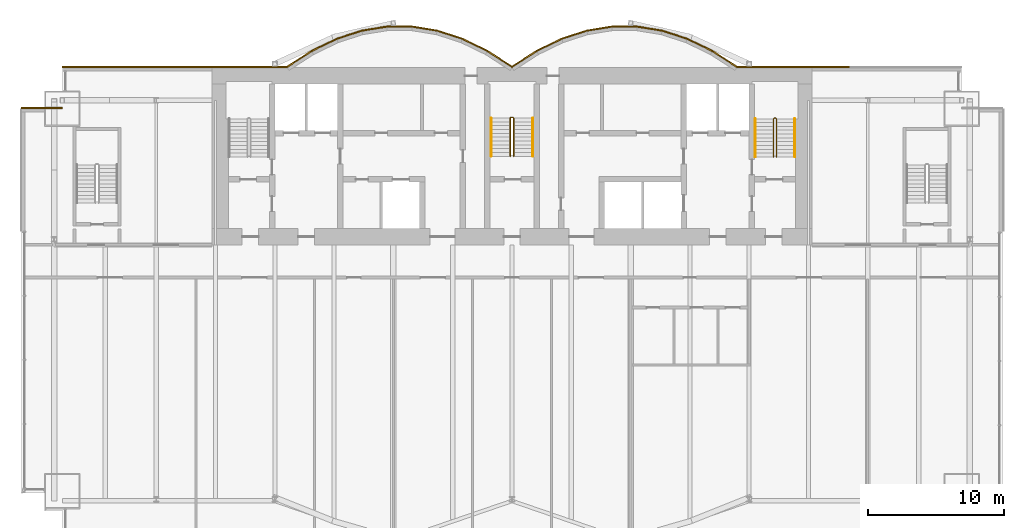
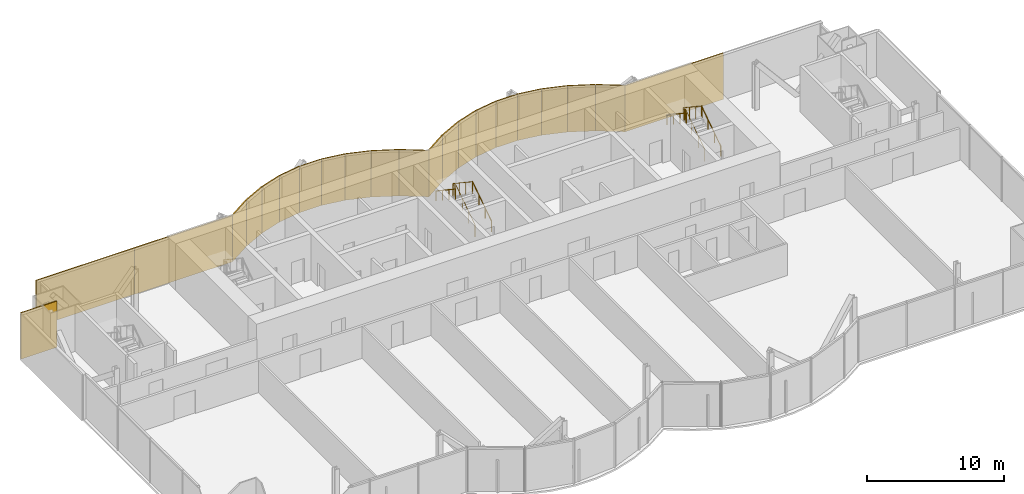
# One storey, part 20 of 21: 22 coverings, 6 railings.
"""IFC4 building model written with IfcOpenShell, lengths in metres."""

import ifcopenshell
import ifcopenshell.guid

model = None  # the IFC model being written
_history = None  # IfcOwnerHistory: only IFC2X3 demands one
_inside = {}  # id of a spatial element -> (the spatial element, [elements in it])
_under = {}  # id of a project, library or spatial element -> (it, [spatial elements below it])
_declared = {}  # id of a project -> (the project, [libraries it declares])
_typed = {}  # id of a type object -> (the type object, [elements of that type])
_made_of = {}  # id of a material, layer set ... -> (it, [elements and type objects made of it])


def new_model(schema):
    """Start an empty IFC model of exactly this schema.

    Asked for "IFC4X3", IfcOpenShell would pick the latest addendum, in which some entities
    have other attributes; the version numbers below select the first issue.
    IFC2X3 requires an IfcOwnerHistory on every rooted entity: one is made here for all.
    """
    global model, _history
    if schema == "IFC4X3":
        model = ifcopenshell.file(schema_version=(4, 3, 0, 0))
    else:
        model = ifcopenshell.file(schema=schema)
    _inside.clear()
    _under.clear()
    _declared.clear()
    _typed.clear()
    _made_of.clear()
    _history = None
    if model.schema == "IFC2X3":
        org = make("IfcOrganization", Name="unknown")
        user = make(
            "IfcPersonAndOrganization",
            ThePerson=make("IfcPerson", FamilyName="unknown"),
            TheOrganization=org,
        )
        app = make(
            "IfcApplication",
            ApplicationDeveloper=org,
            Version="unknown",
            ApplicationFullName="unknown",
            ApplicationIdentifier="unknown",
        )
        _history = make(
            "IfcOwnerHistory",
            OwningUser=user,
            OwningApplication=app,
            ChangeAction="ADDED",
            CreationDate=0,
        )
    return model


def make(cls, **values):
    """One entity of the class cls with the attributes given. An attribute that is None is left unset."""
    return model.create_entity(
        cls, **{name: value for name, value in values.items() if value is not None}
    )


def rooted(cls, **values):
    """An entity with a GlobalId (a new one), such as an element, a storey or a relation."""
    return make(cls, GlobalId=ifcopenshell.guid.new(), OwnerHistory=_history, **values)


def si_unit(unit_type, name, prefix=None):
    """IfcSIUnit, for example si_unit("LENGTHUNIT", "METRE", prefix="MILLI")."""
    return make("IfcSIUnit", UnitType=unit_type, Prefix=prefix, Name=name)


def assignment(units):
    """IfcUnitAssignment: the units of a project."""
    return None if units is None else make("IfcUnitAssignment", Units=units)


def point(xyz):
    """IfcCartesianPoint."""
    return None if xyz is None else make("IfcCartesianPoint", Coordinates=xyz)


def direction(xyz):
    """IfcDirection."""
    return None if xyz is None else make("IfcDirection", DirectionRatios=xyz)


def frame(location, z_axis=None, x_axis=None):
    """IfcAxis2Placement3D, a coordinate frame: its origin and axes. An axis left out is left unset."""
    return make(
        "IfcAxis2Placement3D",
        Location=point(location),
        Axis=direction(z_axis),
        RefDirection=direction(x_axis),
    )


def frame_2d(location, x_axis=None):
    """IfcAxis2Placement2D, a coordinate frame in the plane: its origin and x axis."""
    return make(
        "IfcAxis2Placement2D", Location=point(location), RefDirection=direction(x_axis)
    )


def origin():
    """The frame at (0, 0, 0) with its axes left unset."""
    return frame((0.0, 0.0, 0.0))


def origin_2d():
    """The frame at (0, 0) in the plane with its x axis left unset."""
    return frame_2d((0.0, 0.0))


def place(relative_to, where):
    """IfcLocalPlacement: puts the frame where relative to a parent placement (None: the world)."""
    return make(
        "IfcLocalPlacement", PlacementRelTo=relative_to, RelativePlacement=where
    )


def context(
    kind, dimensions, precision=None, world=None, true_north=None, identifier=None
):
    """IfcGeometricRepresentationContext, for example the 3D "Model" context."""
    return make(
        "IfcGeometricRepresentationContext",
        ContextIdentifier=identifier,
        ContextType=kind,
        CoordinateSpaceDimension=dimensions,
        Precision=precision,
        WorldCoordinateSystem=world,
        TrueNorth=true_north,
    )


def subcontext(parent, identifier, kind, view, scale=None):
    """IfcGeometricRepresentationSubContext, for example "Body" below "Model"."""
    return make(
        "IfcGeometricRepresentationSubContext",
        ContextIdentifier=identifier,
        ContextType=kind,
        ParentContext=parent,
        TargetScale=scale,
        TargetView=view,
    )


def project(units=None, contexts=None):
    """IfcProject with its units and contexts."""
    return rooted(
        "IfcProject",
        Name="project",
        RepresentationContexts=contexts,
        UnitsInContext=assignment(units),
    )


def spatial(cls, under=None, at=None, **own):
    """A site, building, storey or space (cls), placed at a placement, below another one or the project."""
    s = rooted(cls, ObjectPlacement=at, **own)
    if under is not None:
        _under.setdefault(under.id(), (under, []))[1].append(s)
    return s


def profile(cls, at=None, kind="AREA", **sizes):
    """A parametric profile (cls). Its sizes go by their IFC names, for example OverallWidth=200.0."""
    return make(cls, ProfileType=kind, Position=at, **sizes)


def rectangle(**sizes):
    """IfcRectangleProfileDef."""
    return profile("IfcRectangleProfileDef", **sizes)


def circle(**sizes):
    """IfcCircleProfileDef."""
    return profile("IfcCircleProfileDef", **sizes)


def extrude(swept, where, along, depth):
    """IfcExtrudedAreaSolid: the profile swept, set in the frame where, extruded along a direction by depth."""
    return make(
        "IfcExtrudedAreaSolid",
        SweptArea=swept,
        Position=where,
        ExtrudedDirection=direction(along),
        Depth=depth,
    )


def shape(context_of_items, identifier, shape_type, items):
    """IfcShapeRepresentation: the items that make up one representation, for example the "Body"."""
    return make(
        "IfcShapeRepresentation",
        ContextOfItems=context_of_items,
        RepresentationIdentifier=identifier,
        RepresentationType=shape_type,
        Items=items,
    )


def material(Name=None, Category=None):
    """IfcMaterial."""
    return make("IfcMaterial", Name=Name, Category=Category)


def layer(
    of_material, thickness, ventilated=None, Name=None, Category=None, Priority=None
):
    """IfcMaterialLayer: one layer of a wall or slab, of a material (None: an air gap)."""
    return make(
        "IfcMaterialLayer",
        Material=of_material,
        LayerThickness=thickness,
        IsVentilated=ventilated,
        Name=Name,
        Category=Category,
        Priority=Priority,
    )


def layer_set(layers, Name=None):
    """IfcMaterialLayerSet."""
    return make("IfcMaterialLayerSet", MaterialLayers=layers, LayerSetName=Name)


def made_of(thing, what):
    """Note that an element or type object is made of a material, layer set ...; save() writes the relation."""
    if what is not None:
        _made_of.setdefault(what.id(), (what, []))[1].append(thing)
    return thing


def type_object(cls, material=None, **own):
    """A type object (cls), such as IfcWallType, which elements share."""
    return made_of(rooted(cls, **own), material)


def element(
    cls,
    number,
    at=None,
    inside=None,
    cuts=None,
    type_object=None,
    material=None,
    context=None,
    identifier="Body",
    shape_type=None,
    held_by="IfcProductDefinitionShape",
    body=None,
    shapes=None,
    **own,
):
    """One element of the class cls, such as IfcWall. Its Tag is "e" and its number.

    at: its placement. inside: the storey or other place that contains it. cuts: it is an
    opening in that element (IfcRelVoidsElement). A single representation is given by context,
    identifier, shape_type and body (its items); several are given by shapes. held_by: the class
    of the entity that holds the representations. save() writes the other relations.
    """
    e = rooted(cls, Tag="e%d" % number, ObjectPlacement=at, **own)
    if body is not None:
        shapes = [shape(context, identifier, shape_type, body)]
    if shapes is not None:
        e.Representation = make(held_by, Representations=shapes)
    if inside is not None:
        _inside.setdefault(inside.id(), (inside, []))[1].append(e)
    if cuts is not None:
        rooted(
            "IfcRelVoidsElement", RelatingBuildingElement=cuts, RelatedOpeningElement=e
        )
    if type_object is not None:
        _typed.setdefault(type_object.id(), (type_object, []))[1].append(e)
    return made_of(e, material)


def aggregate(whole, parts):
    """IfcRelAggregates: a whole, such as a stair, and the parts it consists of."""
    return rooted("IfcRelAggregates", RelatingObject=whole, RelatedObjects=parts)


def save(model, path):
    """Write the relations noted so far, then the file.

    IfcRelAggregates (storeys below a building ...), IfcRelContainedInSpatialStructure (elements
    in a storey), IfcRelDefinesByType, IfcRelAssociatesMaterial and IfcRelDeclares: one each for
    every whole, place, type object, material and project.
    """
    for whole, parts in _under.values():
        aggregate(whole, parts)
    for where, things in _inside.values():
        rooted(
            "IfcRelContainedInSpatialStructure",
            RelatedElements=things,
            RelatingStructure=where,
        )
    for kind, things in _typed.values():
        rooted("IfcRelDefinesByType", RelatedObjects=things, RelatingType=kind)
    for what, things in _made_of.values():
        rooted("IfcRelAssociatesMaterial", RelatedObjects=things, RelatingMaterial=what)
    for by, libraries in _declared.values():
        rooted("IfcRelDeclares", RelatingContext=by, RelatedDefinitions=libraries)
    model.write(path)


model = new_model("IFC4")

# Units and contexts
model_context = context("Model", 3, precision=1e-05, world=origin(), true_north=direction((0.0, 1.0)))
body_context = subcontext(model_context, "Body", "Model", "MODEL_VIEW")
ifc_project = project(units=[si_unit("LENGTHUNIT", "METRE"), si_unit("AREAUNIT", "SQUARE_METRE"), si_unit("VOLUMEUNIT", "CUBIC_METRE"), si_unit("PLANEANGLEUNIT", "RADIAN"), si_unit("MASSUNIT", "GRAM", prefix="KILO")], contexts=[model_context])

# Site, building, storey
site_placement = place(None, origin())
site = spatial("IfcSite", under=ifc_project, at=site_placement, CompositionType="ELEMENT")
building_placement = place(site_placement, origin())
building = spatial("IfcBuilding", under=site, at=building_placement, Name="Bicima Exchange Tower", CompositionType="ELEMENT")
storey_placement = place(building_placement, frame((0.0, 0.0, 173.199951171875)))
storey = spatial("IfcBuildingStorey", under=building, at=storey_placement, Name="L38", CompositionType="ELEMENT", Elevation=173.199951171875)

# Coverings
ifc_material_1 = material(Name="Bronze metal cladding")
ifc_layer_1 = layer(ifc_material_1, 0.004)
ifc_material_2 = material(Name="Ventilated cavity")
ifc_layer_2 = layer(ifc_material_2, 0.06)
ifc_material_3 = material(Name="Galvanised steel rail and mineral wool", Category="steel")
ifc_layer_3 = layer(ifc_material_3, 0.036)
ifc_layer_set = layer_set([ifc_layer_1, ifc_layer_2, ifc_layer_3], Name="Ventilated cavity")
covering_type = type_object("IfcCoveringType", Name="Bronze metal cladding panel 100", PredefinedType="CLADDING", material=ifc_layer_set)
covering_1_placement = place(storey_placement, frame((20.625, 0.050048828125, -0.14990234375), z_axis=(0.0, 0.0, 1.0), x_axis=(-1.0, 0.0, 0.0)))
element("IfcCovering", 1, at=covering_1_placement, inside=storey, type_object=covering_type, Name="Bronze cladding L38 1.2", PredefinedType="CLADDING", context=body_context, shape_type="SweptSolid", body=[
    extrude(rectangle(XDim=8.25, YDim=0.10009765625, at=origin_2d()), origin(), (0.0, 0.0, 1.0), 4.10009765625),
])
covering_2_placement = place(storey_placement, frame((15.610595703125, 0.634521484375, -0.14990234375), z_axis=(0.0, 0.0, 1.0), x_axis=(-0.839790466384, 0.542910648791, 0.0)))
element("IfcCovering", 2, at=covering_2_placement, inside=storey, type_object=covering_type, Name="Bronze cladding L38 2.1", PredefinedType="CLADDING", context=body_context, shape_type="SweptSolid", body=[
    extrude(rectangle(XDim=2.18310546875, YDim=0.10009765625, at=origin_2d()), origin(), (0.0, 0.0, 1.0), 4.10009765625),
])
covering_3_placement = place(storey_placement, frame((13.771728515625, 1.674560546875, -0.14990234375), z_axis=(0.0, 0.0, 1.0), x_axis=(-0.899818346812, 0.436264762204, 0.0)))
element("IfcCovering", 3, at=covering_3_placement, inside=storey, type_object=covering_type, Name="Bronze cladding L38 3.1", PredefinedType="CLADDING", context=body_context, shape_type="SweptSolid", body=[
    extrude(rectangle(XDim=2.03759765625, YDim=0.10009765625, at=origin_2d()), origin(), (0.0, 0.0, 1.0), 4.10009765625),
])
covering_4_placement = place(storey_placement, frame((11.931884765625, 2.41796875, -0.14990234375), z_axis=(0.0, 0.0, 1.0), x_axis=(-0.951524642381, 0.307572519808, 0.0)))
element("IfcCovering", 4, at=covering_4_placement, inside=storey, type_object=covering_type, Name="Bronze cladding L38 4.1", PredefinedType="CLADDING", context=body_context, shape_type="SweptSolid", body=[
    extrude(rectangle(XDim=1.9267578125, YDim=0.10009765625, at=origin_2d()), origin(), (0.0, 0.0, 1.0), 4.10009765625),
])
covering_5_placement = place(storey_placement, frame((10.09130859375, 2.8642578125, -0.14990234375), z_axis=(0.0, 0.0, 1.0), x_axis=(-0.987189786347, 0.159550386184, 0.0)))
element("IfcCovering", 5, at=covering_5_placement, inside=storey, type_object=covering_type, Name="Bronze cladding L38 5.1", PredefinedType="CLADDING", context=body_context, shape_type="SweptSolid", body=[
    extrude(rectangle(XDim=1.857177734375, YDim=0.10009765625, at=origin_2d()), origin(), (0.0, 0.0, 1.0), 4.10009765625),
])
covering_6_placement = place(storey_placement, frame((8.25, 3.012939453125, -0.14990234375), z_axis=(0.0, 0.0, 1.0), x_axis=(-1.0, 0.0, 0.0)))
element("IfcCovering", 6, at=covering_6_placement, inside=storey, type_object=covering_type, Name="Bronze cladding L38 6.1", PredefinedType="CLADDING", context=body_context, shape_type="SweptSolid", body=[
    extrude(rectangle(XDim=1.83349609375, YDim=0.10009765625, at=origin_2d()), origin(), (0.0, 0.0, 1.0), 4.10009765625),
])
covering_7_placement = place(storey_placement, frame((6.40869140625, 2.8642578125, -0.14990234375), z_axis=(0.0, 0.0, 1.0), x_axis=(-0.987189786347, -0.159550386184, 0.0)))
element("IfcCovering", 7, at=covering_7_placement, inside=storey, type_object=covering_type, Name="Bronze cladding L38 7.1", PredefinedType="CLADDING", context=body_context, shape_type="SweptSolid", body=[
    extrude(rectangle(XDim=1.857177734375, YDim=0.10009765625, at=origin_2d()), origin(), (0.0, 0.0, 1.0), 4.10009765625),
])
covering_8_placement = place(storey_placement, frame((4.568115234375, 2.41796875, -0.14990234375), z_axis=(0.0, 0.0, 1.0), x_axis=(-0.951524642381, -0.307572519808, 0.0)))
element("IfcCovering", 8, at=covering_8_placement, inside=storey, type_object=covering_type, Name="Bronze cladding L38 8.1", PredefinedType="CLADDING", context=body_context, shape_type="SweptSolid", body=[
    extrude(rectangle(XDim=1.9267578125, YDim=0.10009765625, at=origin_2d()), origin(), (0.0, 0.0, 1.0), 4.10009765625),
])
covering_9_placement = place(storey_placement, frame((2.728271484375, 1.674560546875, -0.14990234375), z_axis=(0.0, 0.0, 1.0), x_axis=(-0.899818346812, -0.436264762204, 0.0)))
element("IfcCovering", 9, at=covering_9_placement, inside=storey, type_object=covering_type, Name="Bronze cladding L38 9.1", PredefinedType="CLADDING", context=body_context, shape_type="SweptSolid", body=[
    extrude(rectangle(XDim=2.03759765625, YDim=0.10009765625, at=origin_2d()), origin(), (0.0, 0.0, 1.0), 4.10009765625),
])
for number, where, z_axis, x_axis, name in (
    (10, (0.889404296875, 0.634521484375, -0.14990234375), (0.0, 0.0, 1.0), (-0.839790466384, -0.542910648791, 0.0), "Bronze cladding L38 10.1"),
    (11, (-0.889404296875, 0.634521484375, -0.14990234375), (0.0, 0.0, 1.0), (-0.839790466384, 0.542910648791, 0.0), "Bronze cladding L38 11.1"),
):
    element("IfcCovering", number, at=place(storey_placement, frame(where, z_axis=z_axis, x_axis=x_axis)), inside=storey, type_object=covering_type, Name=name, PredefinedType="CLADDING", context=body_context, shape_type="SweptSolid", body=[
        extrude(rectangle(XDim=2.18310546875, YDim=0.10009765625, at=origin_2d()), origin(), (0.0, 0.0, 1.0), 4.10009765625),
    ])
covering_10_placement = place(storey_placement, frame((-2.728271484375, 1.674560546875, -0.14990234375), z_axis=(0.0, 0.0, 1.0), x_axis=(-0.899818346812, 0.436264762204, 0.0)))
element("IfcCovering", 12, at=covering_10_placement, inside=storey, type_object=covering_type, Name="Bronze cladding L38 12.1", PredefinedType="CLADDING", context=body_context, shape_type="SweptSolid", body=[
    extrude(rectangle(XDim=2.03759765625, YDim=0.10009765625, at=origin_2d()), origin(), (0.0, 0.0, 1.0), 4.10009765625),
])
covering_11_placement = place(storey_placement, frame((-4.568115234375, 2.41796875, -0.14990234375), z_axis=(0.0, 0.0, 1.0), x_axis=(-0.951524642381, 0.307572519808, 0.0)))
element("IfcCovering", 13, at=covering_11_placement, inside=storey, type_object=covering_type, Name="Bronze cladding L38 13.1", PredefinedType="CLADDING", context=body_context, shape_type="SweptSolid", body=[
    extrude(rectangle(XDim=1.9267578125, YDim=0.10009765625, at=origin_2d()), origin(), (0.0, 0.0, 1.0), 4.10009765625),
])
covering_12_placement = place(storey_placement, frame((-6.40869140625, 2.8642578125, -0.14990234375), z_axis=(0.0, 0.0, 1.0), x_axis=(-0.987189786347, 0.159550386184, 0.0)))
element("IfcCovering", 14, at=covering_12_placement, inside=storey, type_object=covering_type, Name="Bronze cladding L38 14.1", PredefinedType="CLADDING", context=body_context, shape_type="SweptSolid", body=[
    extrude(rectangle(XDim=1.857177734375, YDim=0.10009765625, at=origin_2d()), origin(), (0.0, 0.0, 1.0), 4.10009765625),
])
covering_13_placement = place(storey_placement, frame((-8.25, 3.012939453125, -0.14990234375), z_axis=(0.0, 0.0, 1.0), x_axis=(-1.0, 0.0, 0.0)))
element("IfcCovering", 15, at=covering_13_placement, inside=storey, type_object=covering_type, Name="Bronze cladding L38 15.1", PredefinedType="CLADDING", context=body_context, shape_type="SweptSolid", body=[
    extrude(rectangle(XDim=1.83349609375, YDim=0.10009765625, at=origin_2d()), origin(), (0.0, 0.0, 1.0), 4.10009765625),
])
covering_14_placement = place(storey_placement, frame((-10.09130859375, 2.8642578125, -0.14990234375), z_axis=(0.0, 0.0, 1.0), x_axis=(-0.987189786347, -0.159550386184, 0.0)))
element("IfcCovering", 16, at=covering_14_placement, inside=storey, type_object=covering_type, Name="Bronze cladding L38 16.1", PredefinedType="CLADDING", context=body_context, shape_type="SweptSolid", body=[
    extrude(rectangle(XDim=1.857177734375, YDim=0.10009765625, at=origin_2d()), origin(), (0.0, 0.0, 1.0), 4.10009765625),
])
covering_15_placement = place(storey_placement, frame((-11.931884765625, 2.41796875, -0.14990234375), z_axis=(0.0, 0.0, 1.0), x_axis=(-0.951524642381, -0.307572519808, 0.0)))
element("IfcCovering", 17, at=covering_15_placement, inside=storey, type_object=covering_type, Name="Bronze cladding L38 17.1", PredefinedType="CLADDING", context=body_context, shape_type="SweptSolid", body=[
    extrude(rectangle(XDim=1.9267578125, YDim=0.10009765625, at=origin_2d()), origin(), (0.0, 0.0, 1.0), 4.10009765625),
])
covering_16_placement = place(storey_placement, frame((-13.771728515625, 1.674560546875, -0.14990234375), z_axis=(0.0, 0.0, 1.0), x_axis=(-0.899818346812, -0.436264762204, 0.0)))
element("IfcCovering", 18, at=covering_16_placement, inside=storey, type_object=covering_type, Name="Bronze cladding L38 18.1", PredefinedType="CLADDING", context=body_context, shape_type="SweptSolid", body=[
    extrude(rectangle(XDim=2.03759765625, YDim=0.10009765625, at=origin_2d()), origin(), (0.0, 0.0, 1.0), 4.10009765625),
])
covering_17_placement = place(storey_placement, frame((-15.610595703125, 0.634521484375, -0.14990234375), z_axis=(0.0, 0.0, 1.0), x_axis=(-0.839790466384, -0.542910648791, 0.0)))
element("IfcCovering", 19, at=covering_17_placement, inside=storey, type_object=covering_type, Name="Bronze cladding L38 19.1", PredefinedType="CLADDING", context=body_context, shape_type="SweptSolid", body=[
    extrude(rectangle(XDim=2.18310546875, YDim=0.10009765625, at=origin_2d()), origin(), (0.0, 0.0, 1.0), 4.10009765625),
])
for number, where, z_axis, x_axis, name in (
    (20, (-20.625, 0.050048828125, -0.14990234375), (0.0, 0.0, 1.0), (-1.0, 0.0, 0.0), "Bronze cladding L38 20.1"),
    (21, (-28.875, 0.050048828125, -0.14990234375), (0.0, 0.0, 1.0), (-1.0, 0.0, 0.0), "Bronze cladding L38 20.2"),
):
    element("IfcCovering", number, at=place(storey_placement, frame(where, z_axis=z_axis, x_axis=x_axis)), inside=storey, type_object=covering_type, Name=name, PredefinedType="CLADDING", context=body_context, shape_type="SweptSolid", body=[
        extrude(rectangle(XDim=8.25, YDim=0.10009765625, at=origin_2d()), origin(), (0.0, 0.0, 1.0), 4.10009765625),
    ])
covering_18_placement = place(storey_placement, frame((-34.5, -2.949951171875, -0.14990234375), z_axis=(0.0, 0.0, 1.0), x_axis=(-1.0, 0.0, 0.0)))
element("IfcCovering", 22, at=covering_18_placement, inside=storey, type_object=covering_type, Name="Bronze cladding L38 22.1", PredefinedType="CLADDING", context=body_context, shape_type="SweptSolid", body=[
    extrude(rectangle(XDim=3.0, YDim=0.10009765625, at=origin_2d()), origin(), (0.0, 0.0, 1.0), 4.10009765625),
])

# Railings
ifc_material_4 = material(Name="Stainless steel", Category="steel")
railing_type_1 = type_object("IfcRailingType", Name="Stair guard 1100", PredefinedType="GUARDRAIL", material=ifc_material_4)
railing_1_placement = place(storey_placement, frame((0.125, -6.5, 0.1865234375)))
element("IfcRailing", 23, at=railing_1_placement, inside=storey, type_object=railing_type_1, Name="L38 ST-C stair guard 1", PredefinedType="GUARDRAIL", context=body_context, shape_type="SweptSolid", body=[
    extrude(circle(Radius=0.02392578125, at=origin_2d()), frame((0.0, 0.0, 1.076171875), z_axis=(0.0, 0.832485552168, 0.554046753832), x_axis=(-1.0, 0.0, 0.0)), (0.0, 0.0, 1.0), 3.363525390625),
    extrude(circle(Radius=0.02392578125, at=origin_2d()), frame((0.0, 2.800048828125, 2.939453125), z_axis=(-0.707106781187, 0.707106781187, 0.0), x_axis=(-0.707106781187, -0.707106781187, 0.0)), (0.0, 0.0, 1.0), 0.07080078125),
    extrude(circle(Radius=0.02392578125, at=origin_2d()), frame((-0.050048828125, 2.85009765625, 2.939453125), z_axis=(-1.0, 0.0, 0.0), x_axis=(0.0, -1.0, 0.0)), (0.0, 0.0, 1.0), 0.14990234375),
    extrude(circle(Radius=0.02392578125, at=origin_2d()), frame((-0.199951171875, 2.85009765625, 2.939453125), z_axis=(-0.251157038772, -0.251157038772, 0.934794246747), x_axis=(0.707106781187, -0.707106781187, 0.0)), (0.0, 0.0, 1.0), 0.19921875),
    extrude(circle(Radius=0.02392578125, at=origin_2d()), frame((-0.25, 2.800048828125, 3.1259765625), z_axis=(0.0, -0.832452072856, 0.554097055034), x_axis=(1.0, 0.0, 0.0)), (0.0, 0.0, 1.0), 3.363525390625),
    extrude(circle(Radius=0.02099609375, at=origin_2d()), origin(), (0.0, 0.0, 1.0), 1.052001953125),
    extrude(circle(Radius=0.02099609375, at=origin_2d()), frame((0.0, 0.933349609375, 0.62109375)), (0.0, 0.0, 1.0), 1.052001953125),
    extrude(circle(Radius=0.02099609375, at=origin_2d()), frame((0.0, 1.86669921875, 1.242431640625)), (0.0, 0.0, 1.0), 1.052001953125),
    extrude(circle(Radius=0.02099609375, at=origin_2d()), frame((0.0, 2.800048828125, 1.863525390625)), (0.0, 0.0, 1.0), 1.052001953125),
    extrude(circle(Radius=0.02099609375, at=origin_2d()), frame((-0.050048828125, 2.85009765625, 1.863525390625)), (0.0, 0.0, 1.0), 1.052001953125),
    extrude(circle(Radius=0.02099609375, at=origin_2d()), frame((-0.199951171875, 2.85009765625, 1.863525390625)), (0.0, 0.0, 1.0), 1.052001953125),
    extrude(circle(Radius=0.02099609375, at=origin_2d()), frame((-0.25, 2.800048828125, 2.0498046875)), (0.0, 0.0, 1.0), 1.052001953125),
    extrude(circle(Radius=0.02099609375, at=origin_2d()), frame((-0.25, 1.86669921875, 2.671142578125)), (0.0, 0.0, 1.0), 1.052001953125),
    extrude(circle(Radius=0.02099609375, at=origin_2d()), frame((-0.25, 0.933349609375, 3.292236328125)), (0.0, 0.0, 1.0), 1.052001953125),
    extrude(circle(Radius=0.02099609375, at=origin_2d()), frame((-0.25, 0.0, 3.91357421875)), (0.0, 0.0, 1.0), 1.052001953125),
])
railing_2_placement = place(storey_placement, frame((19.39990234375, -6.550048828125, 0.1865234375)))
element("IfcRailing", 24, at=railing_2_placement, inside=storey, type_object=railing_type_1, Name="L38 ST-E stair guard 1", PredefinedType="GUARDRAIL", context=body_context, shape_type="SweptSolid", body=[
    extrude(circle(Radius=0.02392578125, at=origin_2d()), frame((0.0, 0.0, 1.076171875), z_axis=(0.0, 0.832485552168, 0.554046753832), x_axis=(-1.0, 0.0, 0.0)), (0.0, 0.0, 1.0), 3.363525390625),
    extrude(circle(Radius=0.02392578125, at=origin_2d()), frame((0.0, 2.800048828125, 2.939453125), z_axis=(-0.705375805398, 0.708833529934, 0.0), x_axis=(-0.708833529934, -0.705375805398, 0.0)), (0.0, 0.0, 1.0), 0.070556640625),
    extrude(circle(Radius=0.02392578125, at=origin_2d()), frame((-0.0498046875, 2.85009765625, 2.939453125), z_axis=(-1.0, 0.0, 0.0), x_axis=(0.0, -1.0, 0.0)), (0.0, 0.0, 1.0), 0.10009765625),
    extrude(circle(Radius=0.02392578125, at=origin_2d()), frame((-0.14990234375, 2.85009765625, 2.939453125), z_axis=(-0.251157038772, -0.251157038772, 0.934794246747), x_axis=(0.707106781187, -0.707106781187, 0.0)), (0.0, 0.0, 1.0), 0.19921875),
    extrude(circle(Radius=0.02392578125, at=origin_2d()), frame((-0.199951171875, 2.800048828125, 3.1259765625), z_axis=(0.0, -0.832452072856, 0.554097055034), x_axis=(1.0, 0.0, 0.0)), (0.0, 0.0, 1.0), 3.363525390625),
    extrude(circle(Radius=0.02099609375, at=origin_2d()), origin(), (0.0, 0.0, 1.0), 1.052001953125),
    extrude(circle(Radius=0.02099609375, at=origin_2d()), frame((0.0, 0.933349609375, 0.62109375)), (0.0, 0.0, 1.0), 1.052001953125),
    extrude(circle(Radius=0.02099609375, at=origin_2d()), frame((0.0, 1.86669921875, 1.242431640625)), (0.0, 0.0, 1.0), 1.052001953125),
    extrude(circle(Radius=0.02099609375, at=origin_2d()), frame((0.0, 2.800048828125, 1.863525390625)), (0.0, 0.0, 1.0), 1.052001953125),
    extrude(circle(Radius=0.02099609375, at=origin_2d()), frame((-0.0498046875, 2.85009765625, 1.863525390625)), (0.0, 0.0, 1.0), 1.052001953125),
    extrude(circle(Radius=0.02099609375, at=origin_2d()), frame((-0.14990234375, 2.85009765625, 1.863525390625)), (0.0, 0.0, 1.0), 1.052001953125),
    extrude(circle(Radius=0.02099609375, at=origin_2d()), frame((-0.199951171875, 2.800048828125, 2.0498046875)), (0.0, 0.0, 1.0), 1.052001953125),
    extrude(circle(Radius=0.02099609375, at=origin_2d()), frame((-0.199951171875, 1.86669921875, 2.671142578125)), (0.0, 0.0, 1.0), 1.052001953125),
    extrude(circle(Radius=0.02099609375, at=origin_2d()), frame((-0.199951171875, 0.933349609375, 3.292236328125)), (0.0, 0.0, 1.0), 1.052001953125),
    extrude(circle(Radius=0.02099609375, at=origin_2d()), frame((-0.199951171875, 0.0, 3.91357421875)), (0.0, 0.0, 1.0), 1.052001953125),
])
railing_type_2 = type_object("IfcRailingType", Name="Stair handrail 900", PredefinedType="HANDRAIL", material=ifc_material_4)
railing_3_placement = place(storey_placement, frame((1.52490234375, -6.5, 0.1865234375)))
element("IfcRailing", 25, at=railing_3_placement, inside=storey, type_object=railing_type_2, Name="L38 ST-C stair handrail 1", PredefinedType="HANDRAIL", context=body_context, shape_type="SweptSolid", body=[
    extrude(circle(Radius=0.02392578125, at=origin_2d()), frame((0.0, 0.0, 0.8759765625), z_axis=(0.0, 0.832485552168, 0.554046753832), x_axis=(-1.0, 0.0, 0.0)), (0.0, 0.0, 1.0), 3.363525390625),
    extrude(circle(Radius=0.02099609375, at=origin_2d()), origin(), (0.0, 0.0, 1.0), 0.851806640625),
    extrude(circle(Radius=0.02099609375, at=origin_2d()), frame((0.0, 0.933349609375, 0.62109375)), (0.0, 0.0, 1.0), 0.851806640625),
    extrude(circle(Radius=0.02099609375, at=origin_2d()), frame((0.0, 1.86669921875, 1.242431640625)), (0.0, 0.0, 1.0), 0.851806640625),
    extrude(circle(Radius=0.02099609375, at=origin_2d()), frame((0.0, 2.800048828125, 1.863525390625)), (0.0, 0.0, 1.0), 0.851806640625),
])
railing_4_placement = place(storey_placement, frame((-1.52490234375, -3.699951171875, 2.27685546875)))
element("IfcRailing", 26, at=railing_4_placement, inside=storey, type_object=railing_type_2, Name="L38 ST-C stair handrail 2", PredefinedType="HANDRAIL", context=body_context, shape_type="SweptSolid", body=[
    extrude(circle(Radius=0.02392578125, at=origin_2d()), frame((0.0, 0.0, 0.8759765625), z_axis=(0.0, -0.832485552168, 0.554046753832), x_axis=(1.0, 0.0, 0.0)), (0.0, 0.0, 1.0), 3.363525390625),
    extrude(circle(Radius=0.02099609375, at=origin_2d()), origin(), (0.0, 0.0, 1.0), 0.851806640625),
    extrude(circle(Radius=0.02099609375, at=origin_2d()), frame((0.0, -0.933349609375, 0.62109375)), (0.0, 0.0, 1.0), 0.851806640625),
    extrude(circle(Radius=0.02099609375, at=origin_2d()), frame((0.0, -1.86669921875, 1.242431640625)), (0.0, 0.0, 1.0), 0.851806640625),
    extrude(circle(Radius=0.02099609375, at=origin_2d()), frame((0.0, -2.800048828125, 1.863525390625)), (0.0, 0.0, 1.0), 0.851806640625),
])
railing_5_placement = place(storey_placement, frame((20.75, -6.550048828125, 0.1865234375)))
element("IfcRailing", 27, at=railing_5_placement, inside=storey, type_object=railing_type_2, Name="L38 ST-E stair handrail 1", PredefinedType="HANDRAIL", context=body_context, shape_type="SweptSolid", body=[
    extrude(circle(Radius=0.02392578125, at=origin_2d()), frame((0.0, 0.0, 0.8759765625), z_axis=(0.0, 0.832485552168, 0.554046753832), x_axis=(-1.0, 0.0, 0.0)), (0.0, 0.0, 1.0), 3.363525390625),
    extrude(circle(Radius=0.02099609375, at=origin_2d()), origin(), (0.0, 0.0, 1.0), 0.851806640625),
    extrude(circle(Radius=0.02099609375, at=origin_2d()), frame((0.0, 0.933349609375, 0.62109375)), (0.0, 0.0, 1.0), 0.851806640625),
    extrude(circle(Radius=0.02099609375, at=origin_2d()), frame((0.0, 1.86669921875, 1.242431640625)), (0.0, 0.0, 1.0), 0.851806640625),
    extrude(circle(Radius=0.02099609375, at=origin_2d()), frame((0.0, 2.800048828125, 1.863525390625)), (0.0, 0.0, 1.0), 0.851806640625),
])
railing_6_placement = place(storey_placement, frame((17.85009765625, -3.75, 2.27685546875)))
element("IfcRailing", 28, at=railing_6_placement, inside=storey, type_object=railing_type_2, Name="L38 ST-E stair handrail 2", PredefinedType="HANDRAIL", context=body_context, shape_type="SweptSolid", body=[
    extrude(circle(Radius=0.02392578125, at=origin_2d()), frame((0.0, 0.0, 0.8759765625), z_axis=(0.0, -0.832485552168, 0.554046753832), x_axis=(1.0, 0.0, 0.0)), (0.0, 0.0, 1.0), 3.363525390625),
    extrude(circle(Radius=0.02099609375, at=origin_2d()), origin(), (0.0, 0.0, 1.0), 0.851806640625),
    extrude(circle(Radius=0.02099609375, at=origin_2d()), frame((0.0, -0.933349609375, 0.62109375)), (0.0, 0.0, 1.0), 0.851806640625),
    extrude(circle(Radius=0.02099609375, at=origin_2d()), frame((0.0, -1.86669921875, 1.242431640625)), (0.0, 0.0, 1.0), 0.851806640625),
    extrude(circle(Radius=0.02099609375, at=origin_2d()), frame((0.0, -2.800048828125, 1.863525390625)), (0.0, 0.0, 1.0), 0.851806640625),
])

save(model, "model.ifc")
